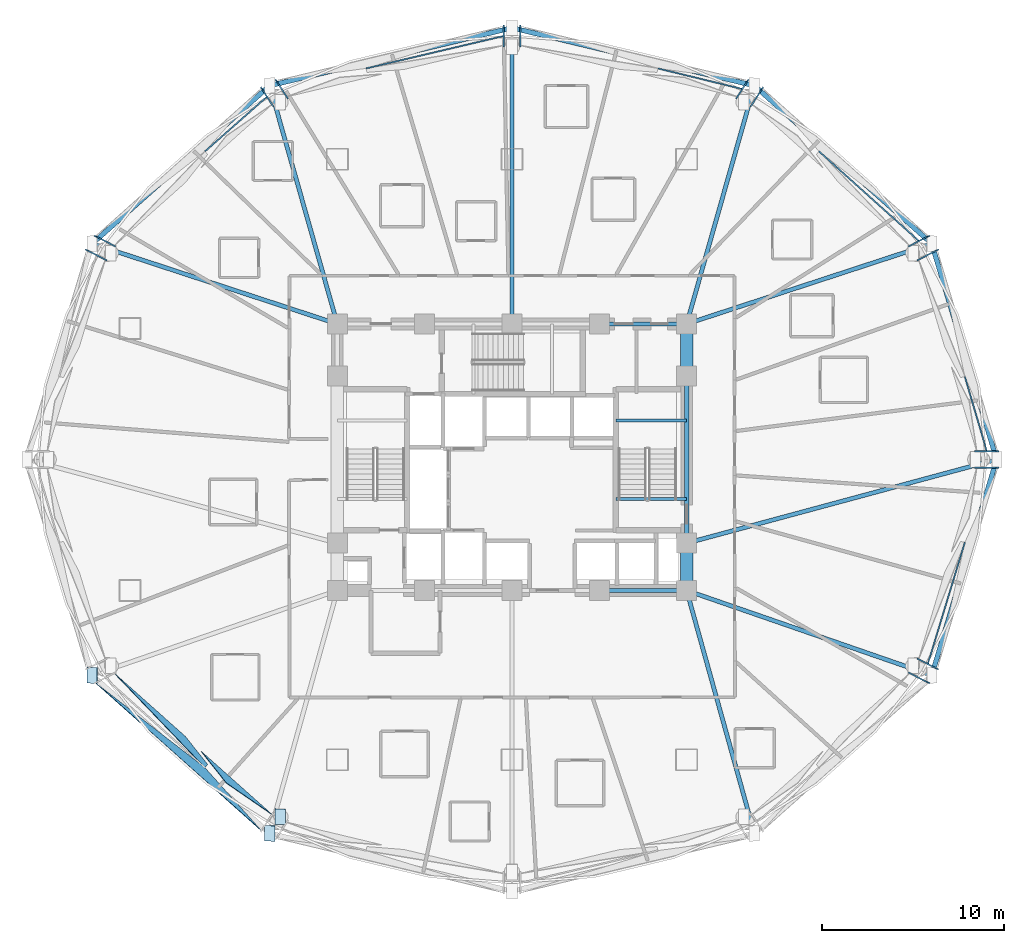
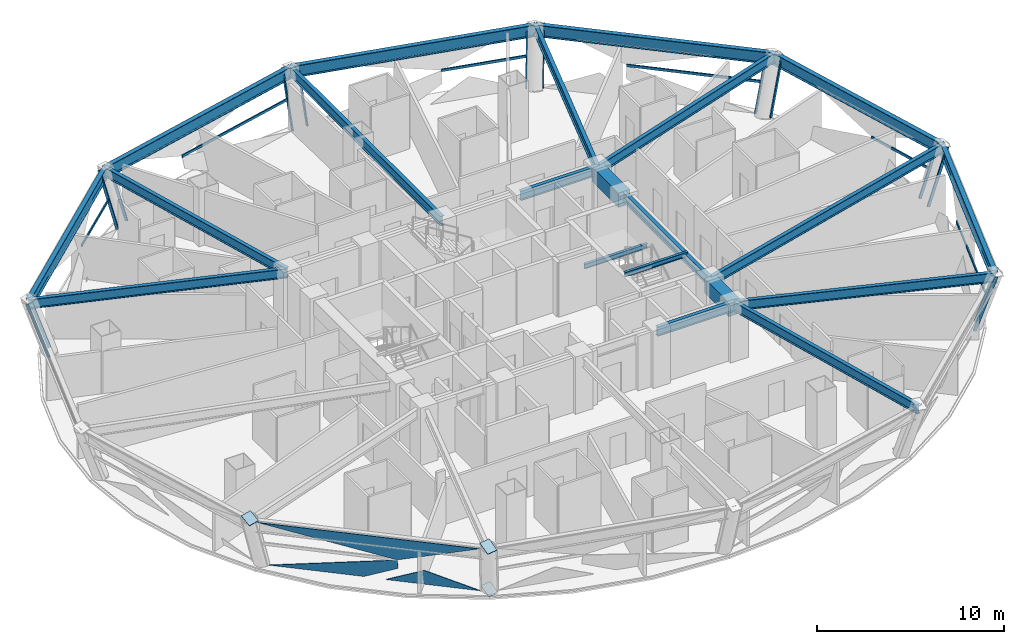
# One storey, part 2 of 12: 21 beams, 20 members, 6 plates, 9 elements without a shape of their own.
"""IFC4 building model written with IfcOpenShell, lengths in metres."""

import ifcopenshell
import ifcopenshell.guid

model = None  # the IFC model being written
_history = None  # IfcOwnerHistory: only IFC2X3 demands one
_inside = {}  # id of a spatial element -> (the spatial element, [elements in it])
_under = {}  # id of a project, library or spatial element -> (it, [spatial elements below it])
_declared = {}  # id of a project -> (the project, [libraries it declares])
_typed = {}  # id of a type object -> (the type object, [elements of that type])
_made_of = {}  # id of a material, layer set ... -> (it, [elements and type objects made of it])


def new_model(schema):
    """Start an empty IFC model of exactly this schema.

    Asked for "IFC4X3", IfcOpenShell would pick the latest addendum, in which some entities
    have other attributes; the version numbers below select the first issue.
    IFC2X3 requires an IfcOwnerHistory on every rooted entity: one is made here for all.
    """
    global model, _history
    if schema == "IFC4X3":
        model = ifcopenshell.file(schema_version=(4, 3, 0, 0))
    else:
        model = ifcopenshell.file(schema=schema)
    _inside.clear()
    _under.clear()
    _declared.clear()
    _typed.clear()
    _made_of.clear()
    _history = None
    if model.schema == "IFC2X3":
        org = make("IfcOrganization", Name="unknown")
        user = make(
            "IfcPersonAndOrganization",
            ThePerson=make("IfcPerson", FamilyName="unknown"),
            TheOrganization=org,
        )
        app = make(
            "IfcApplication",
            ApplicationDeveloper=org,
            Version="unknown",
            ApplicationFullName="unknown",
            ApplicationIdentifier="unknown",
        )
        _history = make(
            "IfcOwnerHistory",
            OwningUser=user,
            OwningApplication=app,
            ChangeAction="ADDED",
            CreationDate=0,
        )
    return model


def make(cls, **values):
    """One entity of the class cls with the attributes given. An attribute that is None is left unset."""
    return model.create_entity(
        cls, **{name: value for name, value in values.items() if value is not None}
    )


def rooted(cls, **values):
    """An entity with a GlobalId (a new one), such as an element, a storey or a relation."""
    return make(cls, GlobalId=ifcopenshell.guid.new(), OwnerHistory=_history, **values)


def si_unit(unit_type, name, prefix=None):
    """IfcSIUnit, for example si_unit("LENGTHUNIT", "METRE", prefix="MILLI")."""
    return make("IfcSIUnit", UnitType=unit_type, Prefix=prefix, Name=name)


def assignment(units):
    """IfcUnitAssignment: the units of a project."""
    return None if units is None else make("IfcUnitAssignment", Units=units)


def point(xyz):
    """IfcCartesianPoint."""
    return None if xyz is None else make("IfcCartesianPoint", Coordinates=xyz)


def direction(xyz):
    """IfcDirection."""
    return None if xyz is None else make("IfcDirection", DirectionRatios=xyz)


def frame(location, z_axis=None, x_axis=None):
    """IfcAxis2Placement3D, a coordinate frame: its origin and axes. An axis left out is left unset."""
    return make(
        "IfcAxis2Placement3D",
        Location=point(location),
        Axis=direction(z_axis),
        RefDirection=direction(x_axis),
    )


def frame_2d(location, x_axis=None):
    """IfcAxis2Placement2D, a coordinate frame in the plane: its origin and x axis."""
    return make(
        "IfcAxis2Placement2D", Location=point(location), RefDirection=direction(x_axis)
    )


def origin():
    """The frame at (0, 0, 0) with its axes left unset."""
    return frame((0.0, 0.0, 0.0))


def origin_2d():
    """The frame at (0, 0) in the plane with its x axis left unset."""
    return frame_2d((0.0, 0.0))


def place(relative_to, where):
    """IfcLocalPlacement: puts the frame where relative to a parent placement (None: the world)."""
    return make(
        "IfcLocalPlacement", PlacementRelTo=relative_to, RelativePlacement=where
    )


def context(
    kind, dimensions, precision=None, world=None, true_north=None, identifier=None
):
    """IfcGeometricRepresentationContext, for example the 3D "Model" context."""
    return make(
        "IfcGeometricRepresentationContext",
        ContextIdentifier=identifier,
        ContextType=kind,
        CoordinateSpaceDimension=dimensions,
        Precision=precision,
        WorldCoordinateSystem=world,
        TrueNorth=true_north,
    )


def subcontext(parent, identifier, kind, view, scale=None):
    """IfcGeometricRepresentationSubContext, for example "Body" below "Model"."""
    return make(
        "IfcGeometricRepresentationSubContext",
        ContextIdentifier=identifier,
        ContextType=kind,
        ParentContext=parent,
        TargetScale=scale,
        TargetView=view,
    )


def project(units=None, contexts=None):
    """IfcProject with its units and contexts."""
    return rooted(
        "IfcProject",
        Name="project",
        RepresentationContexts=contexts,
        UnitsInContext=assignment(units),
    )


def spatial(cls, under=None, at=None, **own):
    """A site, building, storey or space (cls), placed at a placement, below another one or the project."""
    s = rooted(cls, ObjectPlacement=at, **own)
    if under is not None:
        _under.setdefault(under.id(), (under, []))[1].append(s)
    return s


def polyline(points):
    """IfcPolyline through the points."""
    return make("IfcPolyline", Points=[point(p) for p in points])


def profile(cls, at=None, kind="AREA", **sizes):
    """A parametric profile (cls). Its sizes go by their IFC names, for example OverallWidth=200.0."""
    return make(cls, ProfileType=kind, Position=at, **sizes)


def rectangle(**sizes):
    """IfcRectangleProfileDef."""
    return profile("IfcRectangleProfileDef", **sizes)


def hollow_rectangle(**sizes):
    """IfcRectangleHollowProfileDef."""
    return profile("IfcRectangleHollowProfileDef", **sizes)


def i_section(**sizes):
    """IfcIShapeProfileDef."""
    return profile("IfcIShapeProfileDef", **sizes)


def outline(outer, holes=None, kind="AREA"):
    """IfcArbitraryClosedProfileDef: a profile drawn as a closed curve; with holes, ...WithVoids."""
    if holes is None:
        return make("IfcArbitraryClosedProfileDef", ProfileType=kind, OuterCurve=outer)
    return make(
        "IfcArbitraryProfileDefWithVoids",
        ProfileType=kind,
        OuterCurve=outer,
        InnerCurves=holes,
    )


def extrude(swept, where, along, depth):
    """IfcExtrudedAreaSolid: the profile swept, set in the frame where, extruded along a direction by depth."""
    return make(
        "IfcExtrudedAreaSolid",
        SweptArea=swept,
        Position=where,
        ExtrudedDirection=direction(along),
        Depth=depth,
    )


def shape(context_of_items, identifier, shape_type, items):
    """IfcShapeRepresentation: the items that make up one representation, for example the "Body"."""
    return make(
        "IfcShapeRepresentation",
        ContextOfItems=context_of_items,
        RepresentationIdentifier=identifier,
        RepresentationType=shape_type,
        Items=items,
    )


def material(Name=None, Category=None):
    """IfcMaterial."""
    return make("IfcMaterial", Name=Name, Category=Category)


def layer(
    of_material, thickness, ventilated=None, Name=None, Category=None, Priority=None
):
    """IfcMaterialLayer: one layer of a wall or slab, of a material (None: an air gap)."""
    return make(
        "IfcMaterialLayer",
        Material=of_material,
        LayerThickness=thickness,
        IsVentilated=ventilated,
        Name=Name,
        Category=Category,
        Priority=Priority,
    )


def layer_set(layers, Name=None):
    """IfcMaterialLayerSet."""
    return make("IfcMaterialLayerSet", MaterialLayers=layers, LayerSetName=Name)


def material_profile(
    of_material, cross_section, Name=None, Category=None, Priority=None
):
    """IfcMaterialProfile: a cross section and its material."""
    return make(
        "IfcMaterialProfile",
        Name=Name,
        Material=of_material,
        Profile=cross_section,
        Priority=Priority,
        Category=Category,
    )


def profile_set(profiles, Name=None, composite=None):
    """IfcMaterialProfileSet."""
    return make(
        "IfcMaterialProfileSet",
        Name=Name,
        MaterialProfiles=profiles,
        CompositeProfile=composite,
    )


def made_of(thing, what):
    """Note that an element or type object is made of a material, layer set ...; save() writes the relation."""
    if what is not None:
        _made_of.setdefault(what.id(), (what, []))[1].append(thing)
    return thing


def type_object(cls, material=None, **own):
    """A type object (cls), such as IfcWallType, which elements share."""
    return made_of(rooted(cls, **own), material)


def element(
    cls,
    number,
    at=None,
    inside=None,
    cuts=None,
    type_object=None,
    material=None,
    context=None,
    identifier="Body",
    shape_type=None,
    held_by="IfcProductDefinitionShape",
    body=None,
    shapes=None,
    **own,
):
    """One element of the class cls, such as IfcWall. Its Tag is "e" and its number.

    at: its placement. inside: the storey or other place that contains it. cuts: it is an
    opening in that element (IfcRelVoidsElement). A single representation is given by context,
    identifier, shape_type and body (its items); several are given by shapes. held_by: the class
    of the entity that holds the representations. save() writes the other relations.
    """
    e = rooted(cls, Tag="e%d" % number, ObjectPlacement=at, **own)
    if body is not None:
        shapes = [shape(context, identifier, shape_type, body)]
    if shapes is not None:
        e.Representation = make(held_by, Representations=shapes)
    if inside is not None:
        _inside.setdefault(inside.id(), (inside, []))[1].append(e)
    if cuts is not None:
        rooted(
            "IfcRelVoidsElement", RelatingBuildingElement=cuts, RelatedOpeningElement=e
        )
    if type_object is not None:
        _typed.setdefault(type_object.id(), (type_object, []))[1].append(e)
    return made_of(e, material)


def aggregate(whole, parts):
    """IfcRelAggregates: a whole, such as a stair, and the parts it consists of."""
    return rooted("IfcRelAggregates", RelatingObject=whole, RelatedObjects=parts)


def save(model, path):
    """Write the relations noted so far, then the file.

    IfcRelAggregates (storeys below a building ...), IfcRelContainedInSpatialStructure (elements
    in a storey), IfcRelDefinesByType, IfcRelAssociatesMaterial and IfcRelDeclares: one each for
    every whole, place, type object, material and project.
    """
    for whole, parts in _under.values():
        aggregate(whole, parts)
    for where, things in _inside.values():
        rooted(
            "IfcRelContainedInSpatialStructure",
            RelatedElements=things,
            RelatingStructure=where,
        )
    for kind, things in _typed.values():
        rooted("IfcRelDefinesByType", RelatedObjects=things, RelatingType=kind)
    for what, things in _made_of.values():
        rooted("IfcRelAssociatesMaterial", RelatedObjects=things, RelatingMaterial=what)
    for by, libraries in _declared.values():
        rooted("IfcRelDeclares", RelatingContext=by, RelatedDefinitions=libraries)
    model.write(path)


model = new_model("IFC4")

# Units and contexts
model_context = context("Model", 3, precision=1e-05, world=origin(), true_north=direction((0.0, 1.0)))
body_context = subcontext(model_context, "Body", "Model", "MODEL_VIEW")
ifc_project = project(units=[si_unit("LENGTHUNIT", "METRE"), si_unit("AREAUNIT", "SQUARE_METRE"), si_unit("VOLUMEUNIT", "CUBIC_METRE"), si_unit("PLANEANGLEUNIT", "RADIAN"), si_unit("MASSUNIT", "GRAM", prefix="KILO")], contexts=[model_context])

# Site, building, storey
site_placement = place(None, origin())
site = spatial("IfcSite", under=ifc_project, at=site_placement, CompositionType="ELEMENT")
building_placement = place(site_placement, origin())
building = spatial("IfcBuilding", under=site, at=building_placement, Name="Vantalir Tower", CompositionType="ELEMENT")
storey_placement = place(building_placement, frame((0.0, 0.0, 38.25)))
storey = spatial("IfcBuildingStorey", under=building, at=storey_placement, Name="L08", CompositionType="ELEMENT", Elevation=38.25)

# Beams
ifc_material_1 = material(Name="Concrete C60/75", Category="concrete")
ifc_material_profile_1 = material_profile(ifc_material_1, rectangle(XDim=0.699951171875, YDim=0.949951171875, at=origin_2d()), Name="Concrete C60/75")
ifc_profile_set_1 = profile_set([ifc_material_profile_1], Name="Concrete C60/75")
beam_type_1 = type_object("IfcBeamType", Name="BM-CB-700x950", PredefinedType="USERDEFINED", material=ifc_profile_set_1)
beam_1_placement = place(storey_placement, frame((41.10009765625, 17.800048828125, 3.094970703125), z_axis=(0.0, 1.0, 0.0), x_axis=(-1.0, 0.0, 0.0)))
element("IfcBeam", 1, at=beam_1_placement, inside=storey, type_object=beam_type_1, Name="L08 Core Coupling Girder 05", ObjectType="GIRDER", PredefinedType="USERDEFINED", context=body_context, shape_type="SweptSolid", body=[
    extrude(rectangle(XDim=0.699951171875, YDim=0.949951171875, at=origin_2d()), origin(), (0.0, 0.0, 1.0), 2.599853515625),
])
beam_2_placement = place(storey_placement, frame((41.10009765625, 29.60009765625, 3.094970703125), z_axis=(0.0, 1.0, 0.0), x_axis=(-1.0, 0.0, 0.0)))
element("IfcBeam", 2, at=beam_2_placement, inside=storey, type_object=beam_type_1, Name="L08 Core Coupling Girder 07", ObjectType="GIRDER", PredefinedType="USERDEFINED", context=body_context, shape_type="SweptSolid", body=[
    extrude(rectangle(XDim=0.699951171875, YDim=0.949951171875, at=origin_2d()), origin(), (0.0, 0.0, 1.0), 2.849853515625),
])
ifc_material_2 = material(Name="Steel S355", Category="steel")
ifc_material_profile_2 = material_profile(ifc_material_2, i_section(OverallWidth=0.166015625, OverallDepth=0.306884765625, WebThickness=0.006591796875, FlangeThickness=0.01171875, at=origin_2d()), Name="Steel S355")
ifc_profile_set_2 = profile_set([ifc_material_profile_2], Name="Steel S355")
beam_type_2 = type_object("IfcBeamType", Name="BM-JS-305x165", PredefinedType="JOIST", material=ifc_profile_set_2)
for number, where, z_axis, x_axis, name in (
    (3, (37.2099609375, 22.8349609375, 3.595947265625), (1.0, 0.0, 0.0), (0.0, 1.0, 0.0), "L09 Stair ST2 Well Nosing Trimmer Beam"),
    (4, (37.2099609375, 27.14501953125, 1.52099609375), (1.0, 0.0, 0.0), (0.0, 1.0, 0.0), "L08 Stair ST2 Half-Landing Support Beam"),
):
    element("IfcBeam", number, at=place(storey_placement, frame(where, z_axis=z_axis, x_axis=x_axis)), inside=storey, type_object=beam_type_2, Name=name, PredefinedType="JOIST", context=body_context, shape_type="SweptSolid", body=[
        extrude(i_section(OverallWidth=0.166015625, OverallDepth=0.306884765625, WebThickness=0.006591796875, FlangeThickness=0.01171875, at=origin_2d()), origin(), (0.0, 0.0, 1.0), 3.89013671875),
    ])
ifc_material_profile_3 = material_profile(ifc_material_2, i_section(OverallWidth=0.22998046875, OverallDepth=0.616943359375, WebThickness=0.01318359375, FlangeThickness=0.022216796875, at=origin_2d()), Name="Steel S355")
ifc_profile_set_3 = profile_set([ifc_material_profile_3], Name="Steel S355")
beam_type_3 = type_object("IfcBeamType", Name="BM-RB-610x229", PredefinedType="BEAM", material=ifc_profile_set_3)
beam_3_placement = place(storey_placement, frame((36.300048828125, 17.800048828125, 3.261962890625), z_axis=(1.0, 0.0, 0.0), x_axis=(0.0, 1.0, 0.0)))
element("IfcBeam", 5, at=beam_3_placement, inside=storey, type_object=beam_type_3, Name="L08 Core Coupling Girder 04", PredefinedType="BEAM", context=body_context, shape_type="SweptSolid", body=[
    extrude(i_section(OverallWidth=0.22998046875, OverallDepth=0.616943359375, WebThickness=0.01318359375, FlangeThickness=0.022216796875, at=origin_2d()), origin(), (0.0, 0.0, 1.0), 4.800048828125),
])
beam_4_placement = place(storey_placement, frame((41.10009765625, 20.39990234375, 3.261962890625), z_axis=(0.0, 1.0, 0.0), x_axis=(-1.0, 0.0, 0.0)))
element("IfcBeam", 6, at=beam_4_placement, inside=storey, type_object=beam_type_3, Name="L08 Core Coupling Girder 06", PredefinedType="BEAM", context=body_context, shape_type="SweptSolid", body=[
    extrude(i_section(OverallWidth=0.22998046875, OverallDepth=0.616943359375, WebThickness=0.01318359375, FlangeThickness=0.022216796875, at=origin_2d()), origin(), (0.0, 0.0, 1.0), 9.2001953125),
])
beam_5_placement = place(storey_placement, frame((41.10009765625, 32.449951171875, 3.261962890625), z_axis=(-1.0, 0.0, 0.0), x_axis=(0.0, -1.0, 0.0)))
element("IfcBeam", 7, at=beam_5_placement, inside=storey, type_object=beam_type_3, Name="L08 Core Coupling Girder 08", PredefinedType="BEAM", context=body_context, shape_type="SweptSolid", body=[
    extrude(i_section(OverallWidth=0.22998046875, OverallDepth=0.616943359375, WebThickness=0.01318359375, FlangeThickness=0.022216796875, at=origin_2d()), origin(), (0.0, 0.0, 1.0), 4.800048828125),
])
beam_6_placement = place(storey_placement, frame((58.138916015625, 25.0, 3.261962890625), z_axis=(-0.965434547817, -0.260645609749, 0.0), x_axis=(0.260645609749, -0.965434547817, 0.0)))
element("IfcBeam", 8, at=beam_6_placement, inside=storey, type_object=beam_type_3, Name="L08 Radial Floor Beam 01", PredefinedType="BEAM", context=body_context, shape_type="SweptSolid", body=[
    extrude(i_section(OverallWidth=0.22998046875, OverallDepth=0.616943359375, WebThickness=0.01318359375, FlangeThickness=0.022216796875, at=origin_2d()), origin(), (0.0, 0.0, 1.0), 17.64892578125),
])
beam_7_placement = place(storey_placement, frame((54.570068359375, 36.863037109375, 3.261962890625), z_axis=(-0.950298396934, -0.311340580048, 0.0), x_axis=(0.311340580048, -0.950298396934, 0.0)))
element("IfcBeam", 9, at=beam_7_placement, inside=storey, type_object=beam_type_3, Name="L08 Radial Floor Beam 02", PredefinedType="BEAM", context=body_context, shape_type="SweptSolid", body=[
    extrude(i_section(OverallWidth=0.22998046875, OverallDepth=0.616943359375, WebThickness=0.01318359375, FlangeThickness=0.022216796875, at=origin_2d()), origin(), (0.0, 0.0, 1.0), 14.174560546875),
])
beam_8_placement = place(storey_placement, frame((44.820068359375, 45.547119140625, 3.261962890625), z_axis=(-0.273221656267, -0.961951104031, 0.0), x_axis=(0.961951104031, -0.273221656267, 0.0)))
element("IfcBeam", 10, at=beam_8_placement, inside=storey, type_object=beam_type_3, Name="L08 Radial Floor Beam 03", PredefinedType="BEAM", context=body_context, shape_type="SweptSolid", body=[
    extrude(i_section(OverallWidth=0.22998046875, OverallDepth=0.616943359375, WebThickness=0.01318359375, FlangeThickness=0.022216796875, at=origin_2d()), origin(), (0.0, 0.0, 1.0), 13.615234375),
])
beam_9_placement = place(storey_placement, frame((31.5, 48.72607421875, 3.261962890625), z_axis=(0.0, -1.0, 0.0), x_axis=(1.0, 0.0, 0.0)))
element("IfcBeam", 11, at=beam_9_placement, inside=storey, type_object=beam_type_3, Name="L08 Radial Floor Beam 04", PredefinedType="BEAM", context=body_context, shape_type="SweptSolid", body=[
    extrude(i_section(OverallWidth=0.22998046875, OverallDepth=0.616943359375, WebThickness=0.01318359375, FlangeThickness=0.022216796875, at=origin_2d()), origin(), (0.0, 0.0, 1.0), 16.276123046875),
])
beam_10_placement = place(storey_placement, frame((18.180908203125, 45.547119140625, 3.261962890625), z_axis=(0.273155282816, -0.961969953517, 0.0), x_axis=(0.961969953517, 0.273155282816, 0.0)))
element("IfcBeam", 12, at=beam_10_placement, inside=storey, type_object=beam_type_3, Name="L08 Radial Floor Beam 05", PredefinedType="BEAM", context=body_context, shape_type="SweptSolid", body=[
    extrude(i_section(OverallWidth=0.22998046875, OverallDepth=0.616943359375, WebThickness=0.01318359375, FlangeThickness=0.022216796875, at=origin_2d()), origin(), (0.0, 0.0, 1.0), 13.614990234375),
])
beam_11_placement = place(storey_placement, frame((8.429931640625, 36.863037109375, 3.261962890625), z_axis=(0.950298396934, -0.311340580048, 0.0), x_axis=(0.311340580048, 0.950298396934, 0.0)))
element("IfcBeam", 13, at=beam_11_placement, inside=storey, type_object=beam_type_3, Name="L08 Radial Floor Beam 06", PredefinedType="BEAM", context=body_context, shape_type="SweptSolid", body=[
    extrude(i_section(OverallWidth=0.22998046875, OverallDepth=0.616943359375, WebThickness=0.01318359375, FlangeThickness=0.022216796875, at=origin_2d()), origin(), (0.0, 0.0, 1.0), 14.174560546875),
])
beam_12_placement = place(storey_placement, frame((44.820068359375, 4.452880859375, 3.261962890625), z_axis=(-0.268476196098, 0.963286318873, 0.0), x_axis=(-0.963286318873, -0.268476196098, 0.0)))
element("IfcBeam", 14, at=beam_12_placement, inside=storey, type_object=beam_type_3, Name="L08 Radial Floor Beam 11", PredefinedType="BEAM", context=body_context, shape_type="SweptSolid", body=[
    extrude(i_section(OverallWidth=0.22998046875, OverallDepth=0.616943359375, WebThickness=0.01318359375, FlangeThickness=0.022216796875, at=origin_2d()), origin(), (0.0, 0.0, 1.0), 13.85595703125),
])
beam_13_placement = place(storey_placement, frame((54.570068359375, 13.136962890625, 3.261962890625), z_axis=(-0.944977317019, 0.327135859117, 0.0), x_axis=(-0.327135859117, -0.944977317019, 0.0)))
element("IfcBeam", 15, at=beam_13_placement, inside=storey, type_object=beam_type_3, Name="L08 Radial Floor Beam 12", PredefinedType="BEAM", context=body_context, shape_type="SweptSolid", body=[
    extrude(i_section(OverallWidth=0.22998046875, OverallDepth=0.616943359375, WebThickness=0.01318359375, FlangeThickness=0.022216796875, at=origin_2d()), origin(), (0.0, 0.0, 1.0), 14.25439453125),
])
ifc_material_3 = material(Name="Steel S460", Category="steel")
ifc_material_profile_4 = material_profile(ifc_material_3, i_section(OverallWidth=0.26806640625, OverallDepth=0.77001953125, WebThickness=0.015625, FlangeThickness=0.025390625, at=origin_2d()), Name="Steel S460")
ifc_profile_set_4 = profile_set([ifc_material_profile_4], Name="Steel S460")
beam_type_4 = type_object("IfcBeamType", Name="BM-RG-762x267", PredefinedType="USERDEFINED", material=ifc_profile_set_4)
beam_14_placement = place(storey_placement, frame((58.138916015625, 25.0, 3.18505859375), z_axis=(-0.288083666515, 0.957605242826, 0.0), x_axis=(-0.957605242826, -0.288083666515, 0.0)))
element("IfcBeam", 16, at=beam_14_placement, inside=storey, type_object=beam_type_4, Name="L08 Circumferential Ring Girder 01", ObjectType="GIRDER", PredefinedType="USERDEFINED", context=body_context, shape_type="SweptSolid", body=[
    extrude(i_section(OverallWidth=0.26806640625, OverallDepth=0.77001953125, WebThickness=0.015625, FlangeThickness=0.025390625, at=origin_2d()), origin(), (0.0, 0.0, 1.0), 12.38818359375),
])
beam_15_placement = place(storey_placement, frame((54.570068359375, 36.863037109375, 3.18505859375), z_axis=(-0.746746630555, 0.665108615005, 0.0), x_axis=(-0.665108615005, -0.746746630555, 0.0)))
element("IfcBeam", 17, at=beam_15_placement, inside=storey, type_object=beam_type_4, Name="L08 Circumferential Ring Girder 02", ObjectType="GIRDER", PredefinedType="USERDEFINED", context=body_context, shape_type="SweptSolid", body=[
    extrude(i_section(OverallWidth=0.26806640625, OverallDepth=0.77001953125, WebThickness=0.015625, FlangeThickness=0.025390625, at=origin_2d()), origin(), (0.0, 0.0, 1.0), 13.056640625),
])
beam_16_placement = place(storey_placement, frame((44.820068359375, 45.547119140625, 3.18505859375), z_axis=(-0.972682503887, 0.232139498215, 0.0), x_axis=(-0.232139498215, -0.972682503887, 0.0)))
element("IfcBeam", 18, at=beam_16_placement, inside=storey, type_object=beam_type_4, Name="L08 Circumferential Ring Girder 03", ObjectType="GIRDER", PredefinedType="USERDEFINED", context=body_context, shape_type="SweptSolid", body=[
    extrude(i_section(OverallWidth=0.26806640625, OverallDepth=0.77001953125, WebThickness=0.015625, FlangeThickness=0.025390625, at=origin_2d()), origin(), (0.0, 0.0, 1.0), 13.694091796875),
])
beam_17_placement = place(storey_placement, frame((31.5, 48.72607421875, 3.18505859375), z_axis=(-0.972678660555, -0.232155601486, 0.0), x_axis=(0.232155601486, -0.972678660555, 0.0)))
element("IfcBeam", 19, at=beam_17_placement, inside=storey, type_object=beam_type_4, Name="L08 Circumferential Ring Girder 04", ObjectType="GIRDER", PredefinedType="USERDEFINED", context=body_context, shape_type="SweptSolid", body=[
    extrude(i_section(OverallWidth=0.26806640625, OverallDepth=0.77001953125, WebThickness=0.015625, FlangeThickness=0.025390625, at=origin_2d()), origin(), (0.0, 0.0, 1.0), 13.693115234375),
])
beam_18_placement = place(storey_placement, frame((18.180908203125, 45.547119140625, 3.18505859375), z_axis=(-0.746779714513, -0.665071468334, 0.0), x_axis=(0.665071468334, -0.746779714513, 0.0)))
element("IfcBeam", 20, at=beam_18_placement, inside=storey, type_object=beam_type_4, Name="L08 Circumferential Ring Girder 05", ObjectType="GIRDER", PredefinedType="USERDEFINED", context=body_context, shape_type="SweptSolid", body=[
    extrude(i_section(OverallWidth=0.26806640625, OverallDepth=0.77001953125, WebThickness=0.015625, FlangeThickness=0.025390625, at=origin_2d()), origin(), (0.0, 0.0, 1.0), 13.057373046875),
])
beam_19_placement = place(storey_placement, frame((54.570068359375, 13.136962890625, 3.18505859375), z_axis=(0.288083666515, 0.957605242826, 0.0), x_axis=(-0.957605242826, 0.288083666515, 0.0)))
element("IfcBeam", 21, at=beam_19_placement, inside=storey, type_object=beam_type_4, Name="L08 Circumferential Ring Girder 12", ObjectType="GIRDER", PredefinedType="USERDEFINED", context=body_context, shape_type="SweptSolid", body=[
    extrude(i_section(OverallWidth=0.26806640625, OverallDepth=0.77001953125, WebThickness=0.015625, FlangeThickness=0.025390625, at=origin_2d()), origin(), (0.0, 0.0, 1.0), 12.38818359375),
])

# Curtain wall, members
ifc_material_4 = material(Name="Champagne-silver PVDF aluminium and double-silver Low-E glass", Category="aluminium")
ifc_layer_1 = layer(ifc_material_4, 0.18994140625)
ifc_layer_set_1 = layer_set([ifc_layer_1], Name="Champagne-silver PVDF aluminium and double-silver Low-E glass")
curtain_wall_type = type_object("IfcCurtainWallType", Name="CW-DIAMOND-Z1", PredefinedType="USERDEFINED", material=ifc_layer_set_1)
curtain_wall_1_placement = place(storey_placement, origin())
curtain_wall_1 = element("IfcCurtainWall", 22, at=curtain_wall_1_placement, inside=storey, type_object=curtain_wall_type, Name="L08 Quilted Pyramid-Diamond Curtain Wall S01", ObjectType="UNITISED CURTAIN WALL", PredefinedType="USERDEFINED")
ifc_material_5 = material(Name="Champagne-silver PVDF aluminium 6063-T6", Category="aluminium")
ifc_material_profile_5 = material_profile(ifc_material_5, hollow_rectangle(XDim=0.074951171875, YDim=0.179931640625, WallThickness=0.00390625, at=origin_2d()), Name="Champagne-silver PVDF aluminium 6063-T6")
ifc_profile_set_5 = profile_set([ifc_material_profile_5], Name="Champagne-silver PVDF aluminium 6063-T6")
member_type_1 = type_object("IfcMemberType", Name="CWM-180x75", PredefinedType="MULLION", material=ifc_profile_set_5)
member_1_placement = place(storey_placement, frame((57.0048828125, 25.449951171875, 0.044921875), z_axis=(0.323368610382, 0.0, 0.94627307994), x_axis=(0.0, 1.0, 0.0)))
member_1 = element("IfcMember", 23, at=member_1_placement, type_object=member_type_1, Name="CW-L08-S01 Mullion 1", PredefinedType="MULLION", context=body_context, shape_type="SweptSolid", body=[
    extrude(hollow_rectangle(XDim=0.074951171875, YDim=0.179931640625, WallThickness=0.00390625, at=origin_2d()), origin(), (0.0, 0.0, 1.0), 3.677490234375),
])
member_2_placement = place(storey_placement, frame((53.840087890625, 35.97705078125, 0.044921875), z_axis=(0.280825740721, 0.144772691649, 0.948776987021), x_axis=(-0.458218920187, 0.88883936748, 0.0)))
member_2 = element("IfcMember", 24, at=member_2_placement, type_object=member_type_1, Name="CW-L08-S01 Mullion 2", PredefinedType="MULLION", context=body_context, shape_type="SweptSolid", body=[
    extrude(hollow_rectangle(XDim=0.074951171875, YDim=0.179931640625, WallThickness=0.00390625, at=origin_2d()), origin(), (0.0, 0.0, 1.0), 3.66796875),
])

curtain_wall_2_placement = place(storey_placement, origin())
curtain_wall_2 = element("IfcCurtainWall", 25, at=curtain_wall_2_placement, inside=storey, type_object=curtain_wall_type, Name="L08 Quilted Pyramid-Diamond Curtain Wall S02", ObjectType="UNITISED CURTAIN WALL", PredefinedType="USERDEFINED")
member_3_placement = place(storey_placement, frame((53.35400390625, 36.739990234375, 0.044921875), z_axis=(0.280825740721, 0.144772691649, 0.948776987021), x_axis=(-0.458218920187, 0.88883936748, 0.0)))
member_3 = element("IfcMember", 26, at=member_3_placement, type_object=member_type_1, Name="CW-L08-S02 Mullion 1", PredefinedType="MULLION", context=body_context, shape_type="SweptSolid", body=[
    extrude(hollow_rectangle(XDim=0.074951171875, YDim=0.179931640625, WallThickness=0.00390625, at=origin_2d()), origin(), (0.0, 0.0, 1.0), 3.66796875),
])
member_4_placement = place(storey_placement, frame((44.6708984375, 44.47900390625, 0.044921875), z_axis=(0.163144207089, 0.252144123179, 0.953838198459), x_axis=(-0.839582113092, 0.54323280035, 0.0)))
member_4 = element("IfcMember", 27, at=member_4_placement, type_object=member_type_1, Name="CW-L08-S02 Mullion 2", PredefinedType="MULLION", context=body_context, shape_type="SweptSolid", body=[
    extrude(hollow_rectangle(XDim=0.074951171875, YDim=0.179931640625, WallThickness=0.00390625, at=origin_2d()), origin(), (0.0, 0.0, 1.0), 3.6484375),
])

curtain_wall_3_placement = place(storey_placement, origin())
curtain_wall_3 = element("IfcCurtainWall", 28, at=curtain_wall_3_placement, inside=storey, type_object=curtain_wall_type, Name="L08 Quilted Pyramid-Diamond Curtain Wall S03", ObjectType="UNITISED CURTAIN WALL", PredefinedType="USERDEFINED")
member_5_placement = place(storey_placement, frame((43.863037109375, 44.90087890625, 0.044921875), z_axis=(0.163076317909, 0.252209537218, 0.953832513533), x_axis=(-0.839749441706, 0.542974101735, 0.0)))
member_5 = element("IfcMember", 29, at=member_5_placement, type_object=member_type_1, Name="CW-L08-S03 Mullion 1", PredefinedType="MULLION", context=body_context, shape_type="SweptSolid", body=[
    extrude(hollow_rectangle(XDim=0.074951171875, YDim=0.179931640625, WallThickness=0.00390625, at=origin_2d()), origin(), (0.0, 0.0, 1.0), 3.6484375),
])
member_6_placement = place(storey_placement, frame((31.95703125, 47.7451171875, 0.044921875), z_axis=(0.0, 0.291826412093, 0.956471298683), x_axis=(-1.0, 0.0, 0.0)))
member_6 = element("IfcMember", 30, at=member_6_placement, type_object=member_type_1, Name="CW-L08-S03 Mullion 2", PredefinedType="MULLION", context=body_context, shape_type="SweptSolid", body=[
    extrude(hollow_rectangle(XDim=0.074951171875, YDim=0.179931640625, WallThickness=0.00390625, at=origin_2d()), origin(), (0.0, 0.0, 1.0), 3.638427734375),
])

curtain_wall_4_placement = place(storey_placement, origin())
curtain_wall_4 = element("IfcCurtainWall", 31, at=curtain_wall_4_placement, inside=storey, type_object=curtain_wall_type, Name="L08 Quilted Pyramid-Diamond Curtain Wall S04", ObjectType="UNITISED CURTAIN WALL", PredefinedType="USERDEFINED")
member_7_placement = place(storey_placement, frame((31.04296875, 47.7451171875, 0.044921875), z_axis=(0.0, 0.291826412093, 0.956471298683), x_axis=(-1.0, 0.0, 0.0)))
member_7 = element("IfcMember", 32, at=member_7_placement, type_object=member_type_1, Name="CW-L08-S04 Mullion 1", PredefinedType="MULLION", context=body_context, shape_type="SweptSolid", body=[
    extrude(hollow_rectangle(XDim=0.074951171875, YDim=0.179931640625, WallThickness=0.00390625, at=origin_2d()), origin(), (0.0, 0.0, 1.0), 3.638427734375),
])
member_8_placement = place(storey_placement, frame((19.136962890625, 44.90087890625, 0.044921875), z_axis=(-0.162815751847, 0.2522205379, 0.953874117068), x_axis=(-0.8401557643, -0.542345177644, 0.0)))
member_8 = element("IfcMember", 33, at=member_8_placement, type_object=member_type_1, Name="CW-L08-S04 Mullion 2", PredefinedType="MULLION", context=body_context, shape_type="SweptSolid", body=[
    extrude(hollow_rectangle(XDim=0.074951171875, YDim=0.179931640625, WallThickness=0.00390625, at=origin_2d()), origin(), (0.0, 0.0, 1.0), 3.648193359375),
])

curtain_wall_5_placement = place(storey_placement, origin())
curtain_wall_5 = element("IfcCurtainWall", 34, at=curtain_wall_5_placement, inside=storey, type_object=curtain_wall_type, Name="L08 Quilted Pyramid-Diamond Curtain Wall S05", ObjectType="UNITISED CURTAIN WALL", PredefinedType="USERDEFINED")
member_9_placement = place(storey_placement, frame((18.3291015625, 44.47900390625, 0.044921875), z_axis=(-0.162818499643, 0.252157873677, 0.953890215337), x_axis=(-0.840090178887, -0.542446763597, 0.0)))
member_9 = element("IfcMember", 35, at=member_9_placement, type_object=member_type_1, Name="CW-L08-S05 Mullion 1", PredefinedType="MULLION", context=body_context, shape_type="SweptSolid", body=[
    extrude(hollow_rectangle(XDim=0.074951171875, YDim=0.179931640625, WallThickness=0.00390625, at=origin_2d()), origin(), (0.0, 0.0, 1.0), 3.648193359375),
])
member_10_placement = place(storey_placement, frame((9.64599609375, 36.739990234375, 0.044921875), z_axis=(-0.280825740721, 0.144772691649, 0.948776987021), x_axis=(-0.458218920187, -0.88883936748, 0.0)))
member_10 = element("IfcMember", 36, at=member_10_placement, type_object=member_type_1, Name="CW-L08-S05 Mullion 2", PredefinedType="MULLION", context=body_context, shape_type="SweptSolid", body=[
    extrude(hollow_rectangle(XDim=0.074951171875, YDim=0.179931640625, WallThickness=0.00390625, at=origin_2d()), origin(), (0.0, 0.0, 1.0), 3.66796875),
])

# Curtain wall, member
curtain_wall_6_placement = place(storey_placement, origin())
curtain_wall_6 = element("IfcCurtainWall", 37, at=curtain_wall_6_placement, inside=storey, type_object=curtain_wall_type, Name="L08 Quilted Pyramid-Diamond Curtain Wall S06", ObjectType="UNITISED CURTAIN WALL", PredefinedType="USERDEFINED")
member_11_placement = place(storey_placement, frame((9.159912109375, 35.97705078125, 0.044921875), z_axis=(-0.280825740721, 0.144772691649, 0.948776987021), x_axis=(-0.458218920187, -0.88883936748, 0.0)))
member_11 = element("IfcMember", 38, at=member_11_placement, type_object=member_type_1, Name="CW-L08-S06 Mullion 1", PredefinedType="MULLION", context=body_context, shape_type="SweptSolid", body=[
    extrude(hollow_rectangle(XDim=0.074951171875, YDim=0.179931640625, WallThickness=0.00390625, at=origin_2d()), origin(), (0.0, 0.0, 1.0), 3.66796875),
])
aggregate(curtain_wall_6, [member_11])

curtain_wall_7_placement = place(storey_placement, origin())
curtain_wall_7 = element("IfcCurtainWall", 39, at=curtain_wall_7_placement, inside=storey, type_object=curtain_wall_type, Name="L08 Quilted Pyramid-Diamond Curtain Wall S11", ObjectType="UNITISED CURTAIN WALL", PredefinedType="USERDEFINED")
member_12_placement = place(storey_placement, frame((53.35400390625, 13.260009765625, 0.044921875), z_axis=(0.280825740721, -0.144772691649, 0.948776987021), x_axis=(0.458218920187, 0.88883936748, 0.0)))
member_12 = element("IfcMember", 40, at=member_12_placement, type_object=member_type_1, Name="CW-L08-S11 Mullion 2", PredefinedType="MULLION", context=body_context, shape_type="SweptSolid", body=[
    extrude(hollow_rectangle(XDim=0.074951171875, YDim=0.179931640625, WallThickness=0.00390625, at=origin_2d()), origin(), (0.0, 0.0, 1.0), 3.66796875),
])
aggregate(curtain_wall_7, [member_12])

# Curtain wall, members
curtain_wall_8_placement = place(storey_placement, origin())
curtain_wall_8 = element("IfcCurtainWall", 41, at=curtain_wall_8_placement, inside=storey, type_object=curtain_wall_type, Name="L08 Quilted Pyramid-Diamond Curtain Wall S12", ObjectType="UNITISED CURTAIN WALL", PredefinedType="USERDEFINED")
member_13_placement = place(storey_placement, frame((53.840087890625, 14.02294921875, 0.044921875), z_axis=(0.280825740721, -0.144772691649, 0.948776987021), x_axis=(0.458218920187, 0.88883936748, 0.0)))
member_13 = element("IfcMember", 42, at=member_13_placement, type_object=member_type_1, Name="CW-L08-S12 Mullion 1", PredefinedType="MULLION", context=body_context, shape_type="SweptSolid", body=[
    extrude(hollow_rectangle(XDim=0.074951171875, YDim=0.179931640625, WallThickness=0.00390625, at=origin_2d()), origin(), (0.0, 0.0, 1.0), 3.66796875),
])
member_14_placement = place(storey_placement, frame((57.0048828125, 24.550048828125, 0.044921875), z_axis=(0.323368610382, 0.0, 0.94627307994), x_axis=(0.0, 1.0, 0.0)))
member_14 = element("IfcMember", 43, at=member_14_placement, type_object=member_type_1, Name="CW-L08-S12 Mullion 2", PredefinedType="MULLION", context=body_context, shape_type="SweptSolid", body=[
    extrude(hollow_rectangle(XDim=0.074951171875, YDim=0.179931640625, WallThickness=0.00390625, at=origin_2d()), origin(), (0.0, 0.0, 1.0), 3.677490234375),
])

# Member
ifc_material_profile_6 = material_profile(ifc_material_5, hollow_rectangle(XDim=0.074951171875, YDim=0.159912109375, WallThickness=0.00390625, at=origin_2d()), Name="Champagne-silver PVDF aluminium 6063-T6")
ifc_profile_set_6 = profile_set([ifc_material_profile_6], Name="Champagne-silver PVDF aluminium 6063-T6")
member_type_2 = type_object("IfcMemberType", Name="CWT-160x75", PredefinedType="USERDEFINED", material=ifc_profile_set_6)
member_15_placement = place(storey_placement, frame((57.59912109375, 25.449951171875, 1.784912109375), z_axis=(-0.282570921097, 0.959246409715, 0.0), x_axis=(-0.959246409715, -0.282570921097, 0.0)))
member_15 = element("IfcMember", 44, at=member_15_placement, type_object=member_type_2, Name="CW-L08-S01 Pyramid Fold Ridge Transom", ObjectType="TRANSOM", PredefinedType="USERDEFINED", context=body_context, shape_type="SweptSolid", body=[
    extrude(hollow_rectangle(XDim=0.074951171875, YDim=0.159912109375, WallThickness=0.00390625, at=origin_2d()), origin(), (0.0, 0.0, 1.0), 4.279296875),
])

aggregate(curtain_wall_1, [member_1, member_2, member_15])

member_16_placement = place(storey_placement, frame((53.868896484375, 37.0048828125, 1.784912109375), z_axis=(-0.744291962953, 0.667854380747, 0.0), x_axis=(-0.667854380747, -0.744291962953, 0.0)))
member_16 = element("IfcMember", 45, at=member_16_placement, type_object=member_type_2, Name="CW-L08-S02 Pyramid Fold Ridge Transom", ObjectType="TRANSOM", PredefinedType="USERDEFINED", context=body_context, shape_type="SweptSolid", body=[
    extrude(hollow_rectangle(XDim=0.074951171875, YDim=0.159912109375, WallThickness=0.00390625, at=origin_2d()), origin(), (0.0, 0.0, 1.0), 7.390869140625),
])

aggregate(curtain_wall_2, [member_3, member_4, member_16])

member_17_placement = place(storey_placement, frame((44.159912109375, 45.361083984375, 1.784912109375), z_axis=(-0.971466216247, 0.23717797261, 0.0), x_axis=(-0.23717797261, -0.971466216247, 0.0)))
member_17 = element("IfcMember", 46, at=member_17_placement, type_object=member_type_2, Name="CW-L08-S03 Pyramid Fold Ridge Transom", ObjectType="TRANSOM", PredefinedType="USERDEFINED", context=body_context, shape_type="SweptSolid", body=[
    extrude(hollow_rectangle(XDim=0.074951171875, YDim=0.159912109375, WallThickness=0.00390625, at=origin_2d()), origin(), (0.0, 0.0, 1.0), 4.763916015625),
])

aggregate(curtain_wall_3, [member_5, member_6, member_17])

member_18_placement = place(storey_placement, frame((31.04296875, 48.27587890625, 1.784912109375), z_axis=(-0.973336871702, -0.2293803265, 0.0), x_axis=(0.2293803265, -0.973336871702, 0.0)))
member_18 = element("IfcMember", 47, at=member_18_placement, type_object=member_type_2, Name="CW-L08-S04 Pyramid Fold Ridge Transom", ObjectType="TRANSOM", PredefinedType="USERDEFINED", context=body_context, shape_type="SweptSolid", body=[
    extrude(hollow_rectangle(XDim=0.074951171875, YDim=0.159912109375, WallThickness=0.00390625, at=origin_2d()), origin(), (0.0, 0.0, 1.0), 7.781494140625),
])

aggregate(curtain_wall_4, [member_7, member_8, member_18])

member_19_placement = place(storey_placement, frame((18.031982421875, 44.93896484375, 1.784912109375), z_axis=(-0.749947886275, -0.661496914484, 0.0), x_axis=(0.661496914484, -0.749947886275, 0.0)))
member_19 = element("IfcMember", 48, at=member_19_placement, type_object=member_type_2, Name="CW-L08-S05 Pyramid Fold Ridge Transom", ObjectType="TRANSOM", PredefinedType="USERDEFINED", context=body_context, shape_type="SweptSolid", body=[
    extrude(hollow_rectangle(XDim=0.074951171875, YDim=0.159912109375, WallThickness=0.00390625, at=origin_2d()), origin(), (0.0, 0.0, 1.0), 4.5322265625),
])

aggregate(curtain_wall_5, [member_9, member_10, member_19])

member_20_placement = place(storey_placement, frame((54.35498046875, 13.758056640625, 1.784912109375), z_axis=(0.29112686864, 0.956684454957, 0.0), x_axis=(-0.956684454957, 0.29112686864, 0.0)))
member_20 = element("IfcMember", 49, at=member_20_placement, type_object=member_type_2, Name="CW-L08-S12 Pyramid Fold Ridge Transom", ObjectType="TRANSOM", PredefinedType="USERDEFINED", context=body_context, shape_type="SweptSolid", body=[
    extrude(hollow_rectangle(XDim=0.074951171875, YDim=0.159912109375, WallThickness=0.00390625, at=origin_2d()), origin(), (0.0, 0.0, 1.0), 6.98974609375),
])

aggregate(curtain_wall_8, [member_13, member_14, member_20])

# Curtain wall, plates
curtain_wall_9_placement = place(storey_placement, origin())
curtain_wall_9 = element("IfcCurtainWall", 50, at=curtain_wall_9_placement, inside=storey, type_object=curtain_wall_type, Name="L08 Quilted Pyramid-Diamond Curtain Wall S08", ObjectType="UNITISED CURTAIN WALL", PredefinedType="USERDEFINED")
ifc_material_6 = material(Name="Double-silver Low-E laminated glass IGU", Category="glass")
ifc_layer_2 = layer(ifc_material_6, 0.028076171875)
ifc_layer_set_2 = layer_set([ifc_layer_2], Name="Double-silver Low-E laminated glass IGU")
plate_type_1 = type_object("IfcPlateType", Name="CWP-IGU-28", PredefinedType="CURTAIN_PANEL", material=ifc_layer_set_2)
plate_1_placement = place(storey_placement, frame((9.65673828125, 13.25, 0.04638671875), z_axis=(0.632839382096, 0.710007189089, 0.308875554082), x_axis=(0.746508957015, -0.665375365553, 3.321398e-06)))
plate_1 = element("IfcPlate", 51, at=plate_1_placement, type_object=plate_type_1, Name="CW-L08-S08 Pyramid Diamond Facet 1L", PredefinedType="CURTAIN_PANEL", context=body_context, shape_type="SweptSolid", body=[
    extrude(outline(polyline([(0.0, 0.0), (5.21573136421315, 0.0), (7.159529719141904, -1.0901469576741945), (7.159612707653873, -1.8160908372913154), (0.0, 0.0)])), origin(), (0.0, 0.0, -1.0), 0.028076171875),
])
plate_2_placement = place(storey_placement, frame((14.429931640625, 8.95458984375, 0.03662109375), z_axis=(0.632834425064, 0.710017007397, 0.308863140664), x_axis=(0.746516833701, -0.665366528314, 0.0)))
plate_2 = element("IfcPlate", 52, at=plate_2_placement, type_object=plate_type_1, Name="CW-L08-S08 Pyramid Diamond Facet 1L Infill Light", PredefinedType="CURTAIN_PANEL", context=body_context, shape_type="SweptSolid", body=[
    extrude(outline(polyline([(0.0, 0.0), (5.180635540997862, 1.1102230246251565e-16), (2.184001760179632, -1.2249301960583048), (0.0, 0.0)])), origin(), (0.0, 0.0, -1.0), 0.028076171875),
])
plate_3_placement = place(storey_placement, frame((17.723388671875, 4.611083984375, 3.5234375), z_axis=(0.637842376536, 0.715537949373, 0.284890409986), x_axis=(-0.746475626952, 0.665412757591, 2.0035311e-05)))
plate_3 = element("IfcPlate", 53, at=plate_3_placement, type_object=plate_type_1, Name="CW-L08-S08 Pyramid Diamond Facet 2U", PredefinedType="CURTAIN_PANEL", context=body_context, shape_type="SweptSolid", body=[
    extrude(outline(polyline([(0.0, 0.0), (12.185516951692836, 2.358681826242215e-16), (4.610911228247973, -1.8020646943755352), (0.0, 0.0)])), origin(), (0.0, 0.0, -1.0), 0.028076171875),
])
aggregate(curtain_wall_9, [plate_1, plate_2, plate_3])

# Plates
ifc_layer_3 = layer(ifc_material_3, 0.035888671875)
ifc_layer_set_3 = layer_set([ifc_layer_3], Name="Steel S460")
plate_type_2 = type_object("IfcPlateType", Name="PLT-KN-Z2", PredefinedType="USERDEFINED", material=ifc_layer_set_3)
plate_4_placement = place(storey_placement, frame((8.1435546875, 13.580078125, 3.582763671875), z_axis=(-0.27434706002, -0.141500844937, 0.95116307831), x_axis=(-3.618943e-05, -0.98911315093, -0.1471569684)))
element("IfcPlate", 54, at=plate_4_placement, inside=storey, type_object=plate_type_2, Name="L08 Ring Column Top Cap RC08", ObjectType="FLANGE_PLATE", PredefinedType="USERDEFINED", context=body_context, shape_type="SweptSolid", body=[
    extrude(outline(polyline([(0.0, 0.0), (0.8802045523522778, 2.0816681711721685e-17), (0.880193800695465, 0.579899347255622), (2.5175337425568933e-05, 0.5798330984362495), (0.0, 0.0)])), origin(), (0.0, 0.0, -1.0), 0.035888671875),
])
plate_5_placement = place(storey_placement, frame((17.88916015625, 4.8837890625, 3.66162109375), z_axis=(-0.159273450131, -0.246104136331, 0.956067320937), x_axis=(2.6559322e-05, -0.968430874499, -0.249282250894)))
element("IfcPlate", 55, at=plate_5_placement, inside=storey, type_object=plate_type_2, Name="L08 Ring Column Top Cap RC09", ObjectType="FLANGE_PLATE", PredefinedType="USERDEFINED", context=body_context, shape_type="SweptSolid", body=[
    extrude(outline(polyline([(0.0, 0.0), (0.8800409287550022, 0.0), (0.880006140313903, 0.5801362605593328), (0.00014078495333571736, 0.5801836068763762), (0.0, 0.0)])), origin(), (0.0, 0.0, -1.0), 0.035888671875),
])
plate_6_placement = place(storey_placement, frame((18.480224609375, 5.796630859375, 0.11572265625), z_axis=(-0.159339646496, -0.24610147347, 0.956056976236), x_axis=(-1.5690332e-05, -0.968429175257, -0.249288853069)))
element("IfcPlate", 56, at=plate_6_placement, inside=storey, type_object=plate_type_2, Name="L08 Ring Column Base Cap RC09", ObjectType="FLANGE_PLATE", PredefinedType="USERDEFINED", context=body_context, shape_type="SweptSolid", body=[
    extrude(outline(polyline([(0.0, 0.0), (0.8801017894853379, 0.0), (0.8799813157474268, 0.5799328981466089), (0.00017682070259817523, 0.5799049272719864), (0.0, 0.0)])), origin(), (0.0, 0.0, -1.0), 0.035888671875),
])

save(model, "model.ifc")
